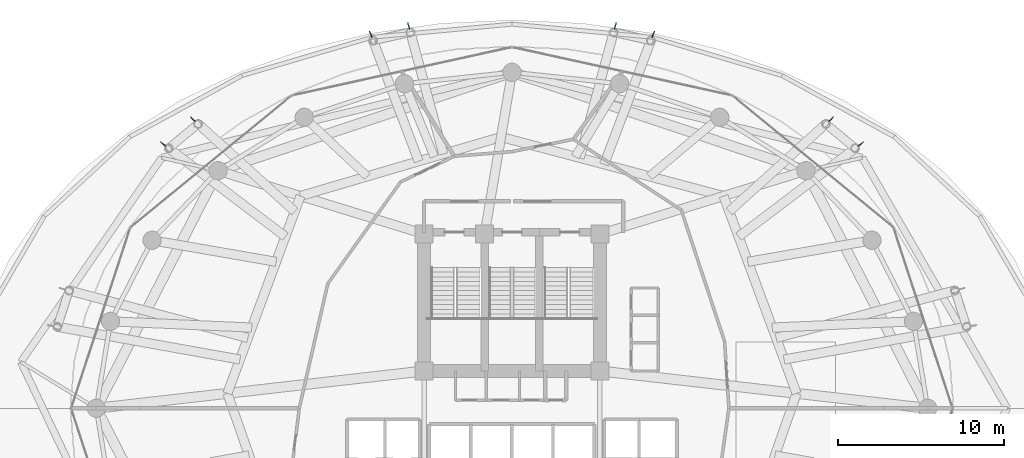
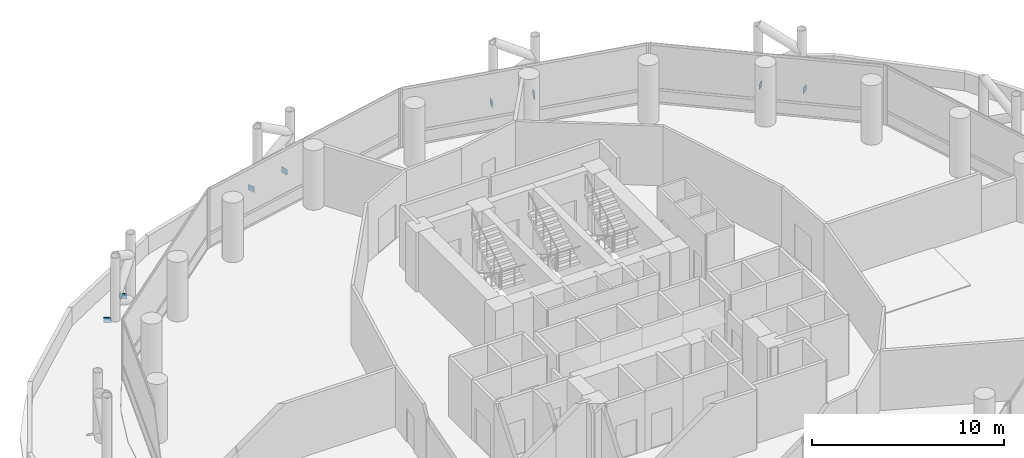
# One storey, part 35 of 37: 8 discrete accessories.
"""IFC4 building model written with IfcOpenShell, lengths in metres."""

from ifc_helpers import new_model, si_unit, direction, frame, origin, origin_2d, place, context, subcontext, project, spatial, rectangle, extrude, material, type_object, element, save


model = new_model("IFC4")

# Units and contexts
model_context = context("Model", 3, precision=1e-05, world=origin(), true_north=direction((0.0, 1.0)))
body_context = subcontext(model_context, "Body", "Model", "MODEL_VIEW")
ifc_project = project(units=[si_unit("LENGTHUNIT", "METRE"), si_unit("AREAUNIT", "SQUARE_METRE"), si_unit("VOLUMEUNIT", "CUBIC_METRE"), si_unit("PLANEANGLEUNIT", "RADIAN"), si_unit("MASSUNIT", "GRAM", prefix="KILO")], contexts=[model_context])

# Site, building, storey
site_placement = place(None, origin())
site = spatial("IfcSite", under=ifc_project, at=site_placement, CompositionType="ELEMENT")
building_placement = place(site_placement, origin())
building = spatial("IfcBuilding", under=site, at=building_placement, Name="Nuhasar Tower", CompositionType="ELEMENT")
storey_placement = place(building_placement, frame((0.0, 0.0, 21.0)))
storey = spatial("IfcBuildingStorey", under=building, at=storey_placement, Name="L04", CompositionType="ELEMENT", Elevation=21.0)

# Discrete accessories
ifc_material = material(Name="Steel S460", Category="steel")
discrete_accessory_type = type_object("IfcDiscreteAccessoryType", Name="ACC-GUS-40", PredefinedType="USERDEFINED", material=ifc_material)
for number, where, z_axis, x_axis, name in (
    (1, (60.007080078125, 42.715087890625, -0.260009765625), (0.0, 0.0, 1.0), (0.797078306655, 0.60387595834, 0.0), "L04 Exoskeleton Chord Column EC-02A Gusset Plate"),
    (2, (58.2119140625, 44.2099609375, -0.260009765625), (0.0, 0.0, 1.0), (0.741003867187, 0.671500758611, 0.0), "L04 Exoskeleton Chord Column EC-02B Gusset Plate"),
    (3, (47.512939453125, 49.337890625, -0.260009765625), (0.0, 0.0, 1.0), (0.353344227708, 0.93549337611, 0.0), "L04 Exoskeleton Chord Column EC-03A Gusset Plate"),
    (4, (45.22900390625, 49.84912109375, -0.260009765625), (0.0, 0.0, 1.0), (0.260908902007, 0.965363426308, 0.0), "L04 Exoskeleton Chord Column EC-03B Gusset Plate"),
    (5, (32.77099609375, 49.84912109375, -0.260009765625), (0.0, 0.0, 1.0), (-0.260908902007, 0.965363426308, 0.0), "L04 Exoskeleton Chord Column EC-04A Gusset Plate"),
    (6, (30.487060546875, 49.337890625, -0.260009765625), (0.0, 0.0, 1.0), (-0.353344227708, 0.93549337611, 0.0), "L04 Exoskeleton Chord Column EC-04B Gusset Plate"),
    (7, (19.7880859375, 44.2099609375, -0.260009765625), (0.0, 0.0, 1.0), (-0.741003867187, 0.671500758611, 0.0), "L04 Exoskeleton Chord Column EC-05A Gusset Plate"),
    (8, (17.992919921875, 42.715087890625, -0.260009765625), (0.0, 0.0, 1.0), (-0.797078306655, 0.60387595834, 0.0), "L04 Exoskeleton Chord Column EC-05B Gusset Plate"),
):
    element("IfcDiscreteAccessory", number, at=place(storey_placement, frame(where, z_axis=z_axis, x_axis=x_axis)), inside=storey, type_object=discrete_accessory_type, Name=name, ObjectType="STEEL_GUSSET_PLATE", PredefinedType="USERDEFINED", context=body_context, shape_type="SweptSolid", body=[
        extrude(rectangle(XDim=0.39990234375, YDim=0.0400390625, at=origin_2d()), origin(), (0.0, 0.0, 1.0), 0.35009765625),
    ])

save(model, "model.ifc")
